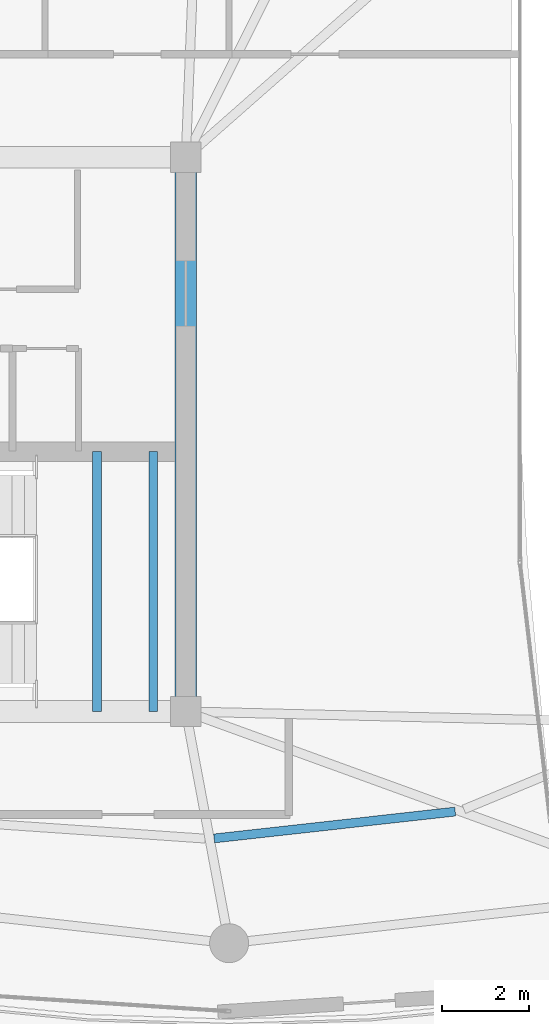
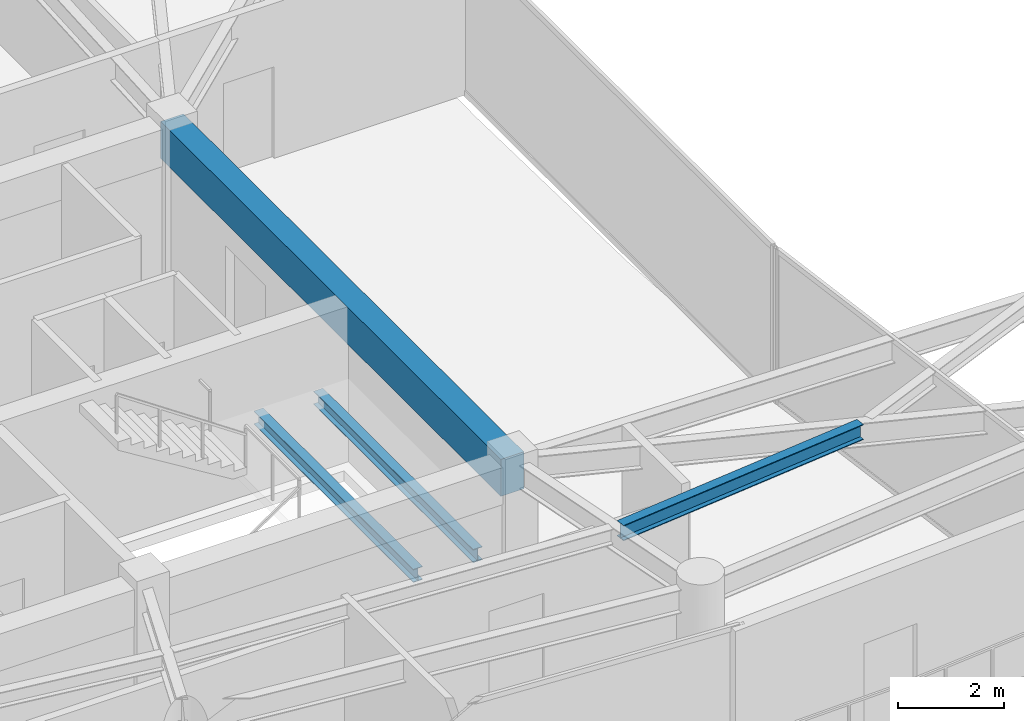
# One storey, part 6 of 22: 4 beams.
"""IFC4 building model written with IfcOpenShell, lengths in metres."""

import ifcopenshell
import ifcopenshell.guid

model = None  # the IFC model being written
_history = None  # IfcOwnerHistory: only IFC2X3 demands one
_inside = {}  # id of a spatial element -> (the spatial element, [elements in it])
_under = {}  # id of a project, library or spatial element -> (it, [spatial elements below it])
_declared = {}  # id of a project -> (the project, [libraries it declares])
_typed = {}  # id of a type object -> (the type object, [elements of that type])
_made_of = {}  # id of a material, layer set ... -> (it, [elements and type objects made of it])


def new_model(schema):
    """Start an empty IFC model of exactly this schema.

    Asked for "IFC4X3", IfcOpenShell would pick the latest addendum, in which some entities
    have other attributes; the version numbers below select the first issue.
    IFC2X3 requires an IfcOwnerHistory on every rooted entity: one is made here for all.
    """
    global model, _history
    if schema == "IFC4X3":
        model = ifcopenshell.file(schema_version=(4, 3, 0, 0))
    else:
        model = ifcopenshell.file(schema=schema)
    _inside.clear()
    _under.clear()
    _declared.clear()
    _typed.clear()
    _made_of.clear()
    _history = None
    if model.schema == "IFC2X3":
        org = make("IfcOrganization", Name="unknown")
        user = make(
            "IfcPersonAndOrganization",
            ThePerson=make("IfcPerson", FamilyName="unknown"),
            TheOrganization=org,
        )
        app = make(
            "IfcApplication",
            ApplicationDeveloper=org,
            Version="unknown",
            ApplicationFullName="unknown",
            ApplicationIdentifier="unknown",
        )
        _history = make(
            "IfcOwnerHistory",
            OwningUser=user,
            OwningApplication=app,
            ChangeAction="ADDED",
            CreationDate=0,
        )
    return model


def make(cls, **values):
    """One entity of the class cls with the attributes given. An attribute that is None is left unset."""
    return model.create_entity(
        cls, **{name: value for name, value in values.items() if value is not None}
    )


def rooted(cls, **values):
    """An entity with a GlobalId (a new one), such as an element, a storey or a relation."""
    return make(cls, GlobalId=ifcopenshell.guid.new(), OwnerHistory=_history, **values)


def si_unit(unit_type, name, prefix=None):
    """IfcSIUnit, for example si_unit("LENGTHUNIT", "METRE", prefix="MILLI")."""
    return make("IfcSIUnit", UnitType=unit_type, Prefix=prefix, Name=name)


def assignment(units):
    """IfcUnitAssignment: the units of a project."""
    return None if units is None else make("IfcUnitAssignment", Units=units)


def point(xyz):
    """IfcCartesianPoint."""
    return None if xyz is None else make("IfcCartesianPoint", Coordinates=xyz)


def direction(xyz):
    """IfcDirection."""
    return None if xyz is None else make("IfcDirection", DirectionRatios=xyz)


def frame(location, z_axis=None, x_axis=None):
    """IfcAxis2Placement3D, a coordinate frame: its origin and axes. An axis left out is left unset."""
    return make(
        "IfcAxis2Placement3D",
        Location=point(location),
        Axis=direction(z_axis),
        RefDirection=direction(x_axis),
    )


def frame_2d(location, x_axis=None):
    """IfcAxis2Placement2D, a coordinate frame in the plane: its origin and x axis."""
    return make(
        "IfcAxis2Placement2D", Location=point(location), RefDirection=direction(x_axis)
    )


def origin():
    """The frame at (0, 0, 0) with its axes left unset."""
    return frame((0.0, 0.0, 0.0))


def origin_2d():
    """The frame at (0, 0) in the plane with its x axis left unset."""
    return frame_2d((0.0, 0.0))


def place(relative_to, where):
    """IfcLocalPlacement: puts the frame where relative to a parent placement (None: the world)."""
    return make(
        "IfcLocalPlacement", PlacementRelTo=relative_to, RelativePlacement=where
    )


def context(
    kind, dimensions, precision=None, world=None, true_north=None, identifier=None
):
    """IfcGeometricRepresentationContext, for example the 3D "Model" context."""
    return make(
        "IfcGeometricRepresentationContext",
        ContextIdentifier=identifier,
        ContextType=kind,
        CoordinateSpaceDimension=dimensions,
        Precision=precision,
        WorldCoordinateSystem=world,
        TrueNorth=true_north,
    )


def subcontext(parent, identifier, kind, view, scale=None):
    """IfcGeometricRepresentationSubContext, for example "Body" below "Model"."""
    return make(
        "IfcGeometricRepresentationSubContext",
        ContextIdentifier=identifier,
        ContextType=kind,
        ParentContext=parent,
        TargetScale=scale,
        TargetView=view,
    )


def project(units=None, contexts=None):
    """IfcProject with its units and contexts."""
    return rooted(
        "IfcProject",
        Name="project",
        RepresentationContexts=contexts,
        UnitsInContext=assignment(units),
    )


def spatial(cls, under=None, at=None, **own):
    """A site, building, storey or space (cls), placed at a placement, below another one or the project."""
    s = rooted(cls, ObjectPlacement=at, **own)
    if under is not None:
        _under.setdefault(under.id(), (under, []))[1].append(s)
    return s


def profile(cls, at=None, kind="AREA", **sizes):
    """A parametric profile (cls). Its sizes go by their IFC names, for example OverallWidth=200.0."""
    return make(cls, ProfileType=kind, Position=at, **sizes)


def rectangle(**sizes):
    """IfcRectangleProfileDef."""
    return profile("IfcRectangleProfileDef", **sizes)


def i_section(**sizes):
    """IfcIShapeProfileDef."""
    return profile("IfcIShapeProfileDef", **sizes)


def extrude(swept, where, along, depth):
    """IfcExtrudedAreaSolid: the profile swept, set in the frame where, extruded along a direction by depth."""
    return make(
        "IfcExtrudedAreaSolid",
        SweptArea=swept,
        Position=where,
        ExtrudedDirection=direction(along),
        Depth=depth,
    )


def shape(context_of_items, identifier, shape_type, items):
    """IfcShapeRepresentation: the items that make up one representation, for example the "Body"."""
    return make(
        "IfcShapeRepresentation",
        ContextOfItems=context_of_items,
        RepresentationIdentifier=identifier,
        RepresentationType=shape_type,
        Items=items,
    )


def material(Name=None, Category=None):
    """IfcMaterial."""
    return make("IfcMaterial", Name=Name, Category=Category)


def material_profile(
    of_material, cross_section, Name=None, Category=None, Priority=None
):
    """IfcMaterialProfile: a cross section and its material."""
    return make(
        "IfcMaterialProfile",
        Name=Name,
        Material=of_material,
        Profile=cross_section,
        Priority=Priority,
        Category=Category,
    )


def profile_set(profiles, Name=None, composite=None):
    """IfcMaterialProfileSet."""
    return make(
        "IfcMaterialProfileSet",
        Name=Name,
        MaterialProfiles=profiles,
        CompositeProfile=composite,
    )


def made_of(thing, what):
    """Note that an element or type object is made of a material, layer set ...; save() writes the relation."""
    if what is not None:
        _made_of.setdefault(what.id(), (what, []))[1].append(thing)
    return thing


def type_object(cls, material=None, **own):
    """A type object (cls), such as IfcWallType, which elements share."""
    return made_of(rooted(cls, **own), material)


def element(
    cls,
    number,
    at=None,
    inside=None,
    cuts=None,
    type_object=None,
    material=None,
    context=None,
    identifier="Body",
    shape_type=None,
    held_by="IfcProductDefinitionShape",
    body=None,
    shapes=None,
    **own,
):
    """One element of the class cls, such as IfcWall. Its Tag is "e" and its number.

    at: its placement. inside: the storey or other place that contains it. cuts: it is an
    opening in that element (IfcRelVoidsElement). A single representation is given by context,
    identifier, shape_type and body (its items); several are given by shapes. held_by: the class
    of the entity that holds the representations. save() writes the other relations.
    """
    e = rooted(cls, Tag="e%d" % number, ObjectPlacement=at, **own)
    if body is not None:
        shapes = [shape(context, identifier, shape_type, body)]
    if shapes is not None:
        e.Representation = make(held_by, Representations=shapes)
    if inside is not None:
        _inside.setdefault(inside.id(), (inside, []))[1].append(e)
    if cuts is not None:
        rooted(
            "IfcRelVoidsElement", RelatingBuildingElement=cuts, RelatedOpeningElement=e
        )
    if type_object is not None:
        _typed.setdefault(type_object.id(), (type_object, []))[1].append(e)
    return made_of(e, material)


def aggregate(whole, parts):
    """IfcRelAggregates: a whole, such as a stair, and the parts it consists of."""
    return rooted("IfcRelAggregates", RelatingObject=whole, RelatedObjects=parts)


def save(model, path):
    """Write the relations noted so far, then the file.

    IfcRelAggregates (storeys below a building ...), IfcRelContainedInSpatialStructure (elements
    in a storey), IfcRelDefinesByType, IfcRelAssociatesMaterial and IfcRelDeclares: one each for
    every whole, place, type object, material and project.
    """
    for whole, parts in _under.values():
        aggregate(whole, parts)
    for where, things in _inside.values():
        rooted(
            "IfcRelContainedInSpatialStructure",
            RelatedElements=things,
            RelatingStructure=where,
        )
    for kind, things in _typed.values():
        rooted("IfcRelDefinesByType", RelatedObjects=things, RelatingType=kind)
    for what, things in _made_of.values():
        rooted("IfcRelAssociatesMaterial", RelatedObjects=things, RelatingMaterial=what)
    for by, libraries in _declared.values():
        rooted("IfcRelDeclares", RelatingContext=by, RelatedDefinitions=libraries)
    model.write(path)


model = new_model("IFC4")

# Units and contexts
model_context = context("Model", 3, precision=1e-05, world=origin(), true_north=direction((0.0, 1.0)))
body_context = subcontext(model_context, "Body", "Model", "MODEL_VIEW")
ifc_project = project(units=[si_unit("LENGTHUNIT", "METRE"), si_unit("AREAUNIT", "SQUARE_METRE"), si_unit("VOLUMEUNIT", "CUBIC_METRE"), si_unit("PLANEANGLEUNIT", "RADIAN"), si_unit("MASSUNIT", "GRAM", prefix="KILO")], contexts=[model_context])

# Site, building, storey
site_placement = place(None, origin())
site = spatial("IfcSite", under=ifc_project, at=site_placement, CompositionType="ELEMENT")
building_placement = place(site_placement, origin())
building = spatial("IfcBuilding", under=site, at=building_placement, Name="Kazevale Care Tower and Concert Hall", CompositionType="ELEMENT")
storey_placement = place(building_placement, frame((0.0, 0.0, 273.800048828125)))
storey = spatial("IfcBuildingStorey", under=building, at=storey_placement, Name="L72", CompositionType="ELEMENT", Elevation=273.800048828125)

# Beams
ifc_material_1 = material(Name="Concrete C60", Category="concrete")
ifc_material_profile_1 = material_profile(ifc_material_1, rectangle(XDim=0.5, YDim=0.85009765625, at=origin_2d()), Name="RC-B500x850")
ifc_profile_set_1 = profile_set([ifc_material_profile_1], Name="Concrete C60")
beam_type_1 = type_object("IfcBeamType", Name="Core Coupling Beam RC500x850", PredefinedType="LINTEL", material=ifc_profile_set_1)
beam_1_placement = place(storey_placement, frame((44.0, 23.60009765625, 3.135009765625), z_axis=(0.0, 1.0, 0.0), x_axis=(-1.0, 0.0, 0.0)))
element("IfcBeam", 1, at=beam_1_placement, inside=storey, type_object=beam_type_1, Name="beam:L72:coretie:4", PredefinedType="LINTEL", context=body_context, shape_type="SweptSolid", body=[
    extrude(rectangle(XDim=0.5, YDim=0.85009765625, at=origin_2d()), origin(), (0.0, 0.0, 1.0), 12.7998046875),
])
ifc_material_2 = material(Name="Steel ASTM A572 Gr 50", Category="steel")
ifc_material_profile_2 = material_profile(ifc_material_2, i_section(OverallWidth=0.205078125, OverallDepth=0.35400390625, WebThickness=0.009521484375, FlangeThickness=0.016845703125, at=origin_2d()), Name="W360x79")
ifc_profile_set_2 = profile_set([ifc_material_profile_2], Name="Steel ASTM A572 Gr 50")
beam_type_2 = type_object("IfcBeamType", Name="Secondary Floor Joist W360x79", PredefinedType="JOIST", material=ifc_profile_set_2)
beam_2_placement = place(storey_placement, frame((44.654052734375, 20.6689453125, 3.383056640625), z_axis=(0.99385286667, 0.110708985236, 0.0), x_axis=(-0.110708985236, 0.99385286667, 0.0)))
element("IfcBeam", 2, at=beam_2_placement, inside=storey, type_object=beam_type_2, Name="beam:L72:joist:13", PredefinedType="JOIST", context=body_context, shape_type="SweptSolid", body=[
    extrude(i_section(OverallWidth=0.205078125, OverallDepth=0.35400390625, WebThickness=0.009521484375, FlangeThickness=0.016845703125, at=origin_2d()), origin(), (0.0, 0.0, 1.0), 5.601318359375),
])
ifc_material_profile_3 = material_profile(ifc_material_2, i_section(OverallWidth=0.202880859375, OverallDepth=0.302978515625, WebThickness=0.007568359375, FlangeThickness=0.01318359375, at=origin_2d()), Name="W310x60")
ifc_profile_set_3 = profile_set([ifc_material_profile_3], Name="Steel ASTM A572 Gr 50")
beam_type_3 = type_object("IfcBeamType", Name="Stair & Balcony Trimmer W310x60", PredefinedType="BEAM", material=ifc_profile_set_3)
for number, where, z_axis, x_axis, name in (
    (3, (41.949951171875, 23.60009765625, 1.54833984375), (0.0, 1.0, 0.0), (-1.0, 0.0, 0.0), "beam:L72:sttrim:ST2"),
    (4, (43.25, 23.60009765625, 1.54833984375), (0.0, 1.0, 0.0), (-1.0, 0.0, 0.0), "beam:L72:sttrim:ST2b"),
):
    element("IfcBeam", number, at=place(storey_placement, frame(where, z_axis=z_axis, x_axis=x_axis)), inside=storey, type_object=beam_type_3, Name=name, PredefinedType="BEAM", context=body_context, shape_type="SweptSolid", body=[
        extrude(i_section(OverallWidth=0.202880859375, OverallDepth=0.302978515625, WebThickness=0.007568359375, FlangeThickness=0.01318359375, at=origin_2d()), origin(), (0.0, 0.0, 1.0), 6.0),
    ])

save(model, "model.ifc")
